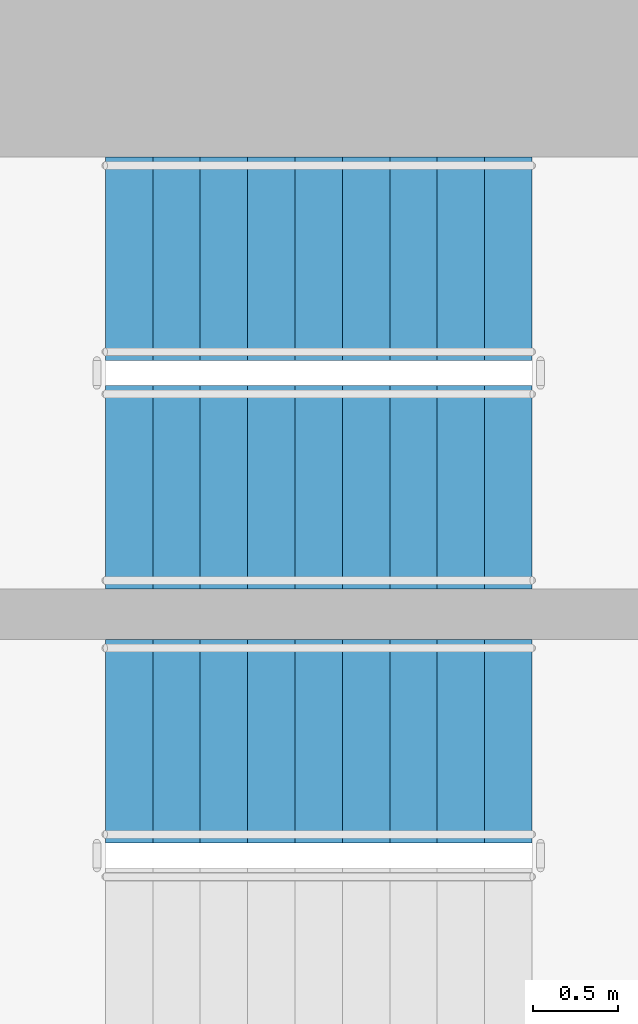
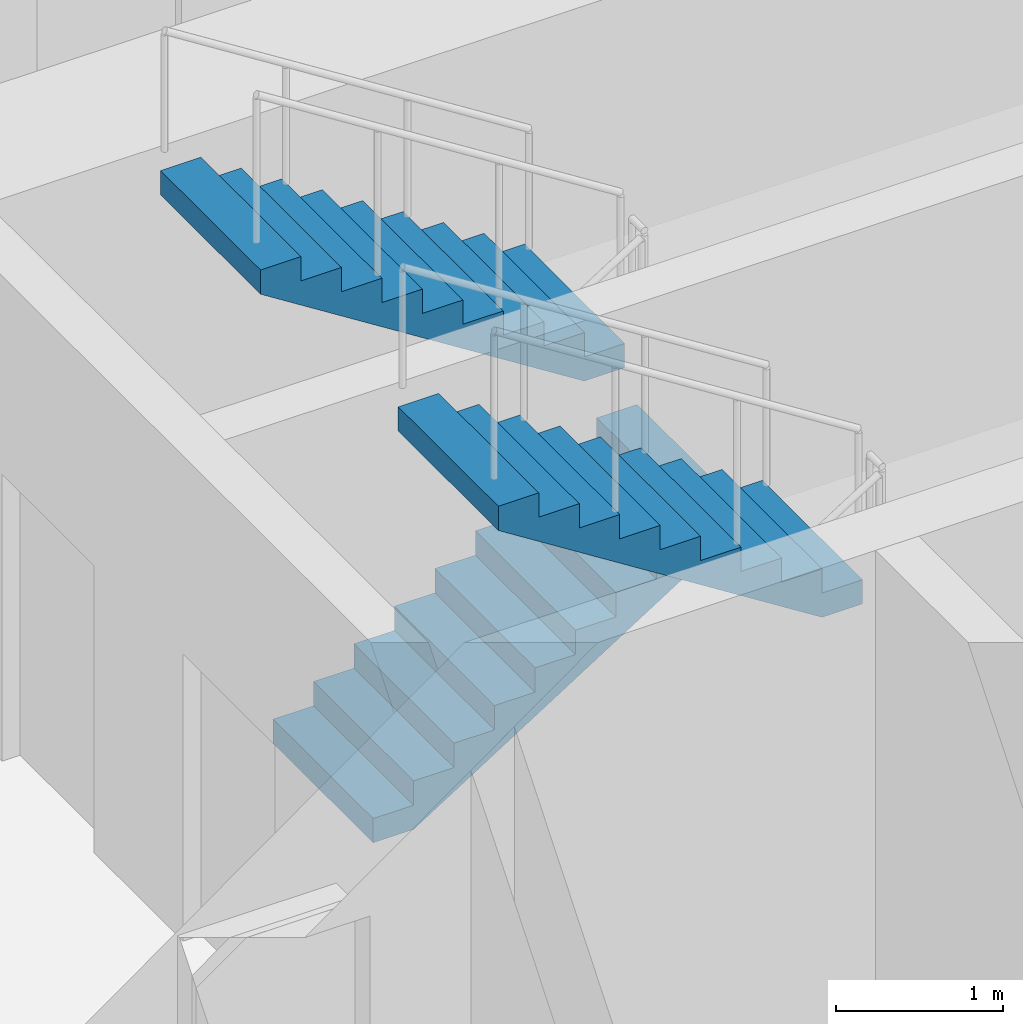
# One storey, part 13 of 17: 3 stair flights, 2 elements without a shape of their own.
"""IFC4 building model written with IfcOpenShell, lengths in metres."""

from ifc_helpers import new_model, si_unit, direction, frame, origin, place, context, subcontext, project, spatial, polyline, outline, extrude, material, type_object, element, aggregate, save


model = new_model("IFC4")

# Units and contexts
model_context = context("Model", 3, precision=1e-05, world=origin(), true_north=direction((0.0, 1.0)))
body_context = subcontext(model_context, "Body", "Model", "MODEL_VIEW")
ifc_project = project(units=[si_unit("LENGTHUNIT", "METRE"), si_unit("AREAUNIT", "SQUARE_METRE"), si_unit("VOLUMEUNIT", "CUBIC_METRE"), si_unit("PLANEANGLEUNIT", "RADIAN"), si_unit("MASSUNIT", "GRAM", prefix="KILO")], contexts=[model_context])

# Site, building, storey
site_placement = place(None, origin())
site = spatial("IfcSite", under=ifc_project, at=site_placement, CompositionType="ELEMENT")
building_placement = place(site_placement, origin())
building = spatial("IfcBuilding", under=site, at=building_placement, Name="Ostrand Prow Hotel Tower", CompositionType="ELEMENT")
storey_placement = place(building_placement, frame((0.0, 0.0, 92.0)))
storey = spatial("IfcBuildingStorey", under=building, at=storey_placement, Name="L21", CompositionType="ELEMENT", Elevation=92.0)

# Stair, stair flight
ifc_material_1 = material(Name="Concrete C40/50", Category="concrete")
stair_type = type_object("IfcStairType", Name="Exit stair 1200 upper zone", PredefinedType="HALF_TURN_STAIR", material=ifc_material_1)
stair_1_placement = place(storey_placement, origin())
stair_1 = element("IfcStair", 1, at=stair_1_placement, inside=storey, type_object=stair_type, Name="L21 ST1C", PredefinedType="HALF_TURN_STAIR")
ifc_material_2 = material(Name="Concrete C40/50", Category="concrete")
stair_flight_type = type_object("IfcStairFlightType", Name="Stair flight 1200 concrete", PredefinedType="STRAIGHT", material=ifc_material_2)
stair_flight_1_placement = place(storey_placement, frame((59.719970703125, 12.300048828125, 1.77490234375), z_axis=(0.0, 0.0, 1.0), x_axis=(-1.0, 0.0, 0.0)))
stair_flight_1 = element("IfcStairFlight", 2, at=stair_flight_1_placement, type_object=stair_flight_type, Name="ST1C flight 2", NumberOfRisers=10, NumberOfTreads=9, PredefinedType="STRAIGHT", RiserHeight=0.1775, TreadLength=0.28, context=body_context, shape_type="SweptSolid", body=[
    extrude(outline(polyline([(0.0, 0.0), (0.0, 0.177490234375), (0.280029296875, 0.177490234375), (0.280029296875, 0.35498046875), (0.56005859375, 0.35498046875), (0.56005859375, 0.532470703125), (0.840087890625, 0.532470703125), (0.840087890625, 0.7099609375), (1.1201171875, 0.7099609375), (1.1201171875, 0.887451171875), (1.39990234375, 0.887451171875), (1.39990234375, 1.06494140625), (1.679931640625, 1.06494140625), (1.679931640625, 1.242431640625), (1.9599609375, 1.242431640625), (1.9599609375, 1.419921875), (2.239990234375, 1.419921875), (2.239990234375, 1.597412109375), (2.52001953125, 1.597412109375), (2.52001953125, 1.77490234375), (2.52001953125, 1.419921875), (0.280029296875, 0.0), (0.0, 0.0)])), frame((0.0, 0.60009765625, 0.0), z_axis=(0.0, -1.0, 0.0), x_axis=(1.0, 0.0, 0.0)), (0.0, 0.0, 1.0), 1.199951171875),
])
aggregate(stair_1, [stair_flight_1])

# Stair, stair flights
stair_2_placement = place(storey_placement, origin())
stair_2 = element("IfcStair", 3, at=stair_2_placement, inside=storey, type_object=stair_type, Name="L21 ST3C", PredefinedType="HALF_TURN_STAIR")
stair_flight_2_placement = place(storey_placement, frame((57.199951171875, 13.800048828125, 0.0), z_axis=(0.0, 0.0, 1.0), x_axis=(1.0, 0.0, 0.0)))
stair_flight_2 = element("IfcStairFlight", 4, at=stair_flight_2_placement, type_object=stair_flight_type, Name="ST3C flight 1", NumberOfRisers=10, NumberOfTreads=9, PredefinedType="STRAIGHT", RiserHeight=0.1775, TreadLength=0.28, context=body_context, shape_type="SweptSolid", body=[
    extrude(outline(polyline([(0.0, 0.0), (0.0, 0.177490234375), (0.280029296875, 0.177490234375), (0.280029296875, 0.35498046875), (0.56005859375, 0.35498046875), (0.56005859375, 0.532470703125), (0.840087890625, 0.532470703125), (0.840087890625, 0.7099609375), (1.1201171875, 0.7099609375), (1.1201171875, 0.887451171875), (1.39990234375, 0.887451171875), (1.39990234375, 1.06494140625), (1.679931640625, 1.06494140625), (1.679931640625, 1.242431640625), (1.9599609375, 1.242431640625), (1.9599609375, 1.419921875), (2.239990234375, 1.419921875), (2.239990234375, 1.597412109375), (2.52001953125, 1.597412109375), (2.52001953125, 1.77490234375), (2.52001953125, 1.419921875), (0.280029296875, 0.0), (0.0, 0.0)])), frame((0.0, 0.60009765625, 0.0), z_axis=(0.0, -1.0, 0.0), x_axis=(1.0, 0.0, 0.0)), (0.0, 0.0, 1.0), 1.199951171875),
])
stair_flight_3_placement = place(storey_placement, frame((59.719970703125, 15.14990234375, 1.77490234375), z_axis=(0.0, 0.0, 1.0), x_axis=(-1.0, 0.0, 0.0)))
stair_flight_3 = element("IfcStairFlight", 5, at=stair_flight_3_placement, type_object=stair_flight_type, Name="ST3C flight 2", NumberOfRisers=10, NumberOfTreads=9, PredefinedType="STRAIGHT", RiserHeight=0.1775, TreadLength=0.28, context=body_context, shape_type="SweptSolid", body=[
    extrude(outline(polyline([(0.0, 0.0), (0.0, 0.177490234375), (0.280029296875, 0.177490234375), (0.280029296875, 0.35498046875), (0.56005859375, 0.35498046875), (0.56005859375, 0.532470703125), (0.840087890625, 0.532470703125), (0.840087890625, 0.7099609375), (1.1201171875, 0.7099609375), (1.1201171875, 0.887451171875), (1.39990234375, 0.887451171875), (1.39990234375, 1.06494140625), (1.679931640625, 1.06494140625), (1.679931640625, 1.242431640625), (1.9599609375, 1.242431640625), (1.9599609375, 1.419921875), (2.239990234375, 1.419921875), (2.239990234375, 1.597412109375), (2.52001953125, 1.597412109375), (2.52001953125, 1.77490234375), (2.52001953125, 1.419921875), (0.280029296875, 0.0), (0.0, 0.0)])), frame((0.0, 0.60009765625, 0.0), z_axis=(0.0, -1.0, 0.0), x_axis=(1.0, 0.0, 0.0)), (0.0, 0.0, 1.0), 1.199951171875),
])
aggregate(stair_2, [stair_flight_2, stair_flight_3])

save(model, "model.ifc")
